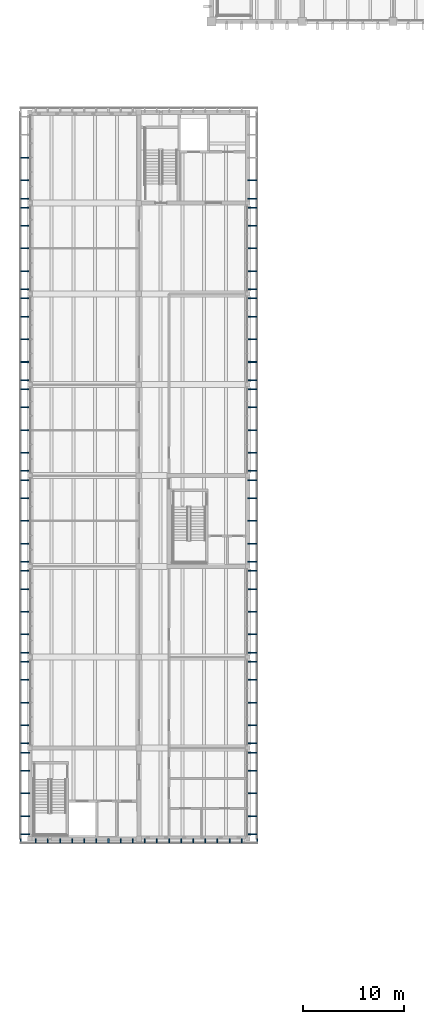
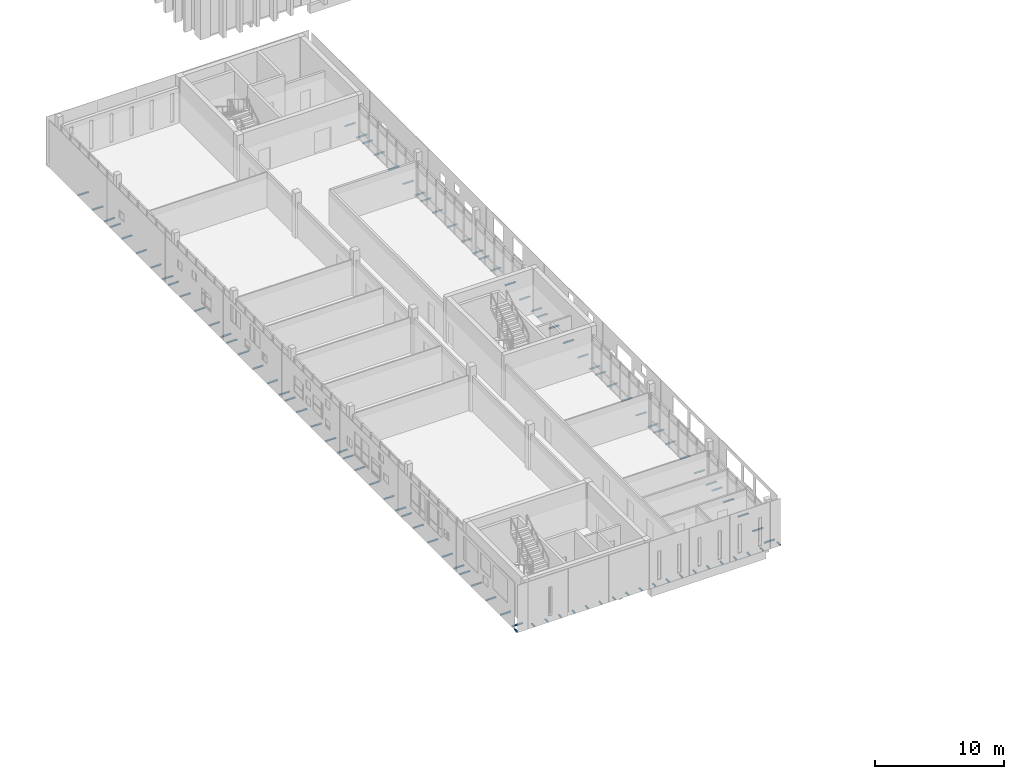
# One storey, part 37 of 50: 95 discrete accessories.
"""IFC4 building model written with IfcOpenShell, lengths in metres."""

import ifcopenshell
import ifcopenshell.guid

model = None  # the IFC model being written
_history = None  # IfcOwnerHistory: only IFC2X3 demands one
_inside = {}  # id of a spatial element -> (the spatial element, [elements in it])
_under = {}  # id of a project, library or spatial element -> (it, [spatial elements below it])
_declared = {}  # id of a project -> (the project, [libraries it declares])
_typed = {}  # id of a type object -> (the type object, [elements of that type])
_made_of = {}  # id of a material, layer set ... -> (it, [elements and type objects made of it])


def new_model(schema):
    """Start an empty IFC model of exactly this schema.

    Asked for "IFC4X3", IfcOpenShell would pick the latest addendum, in which some entities
    have other attributes; the version numbers below select the first issue.
    IFC2X3 requires an IfcOwnerHistory on every rooted entity: one is made here for all.
    """
    global model, _history
    if schema == "IFC4X3":
        model = ifcopenshell.file(schema_version=(4, 3, 0, 0))
    else:
        model = ifcopenshell.file(schema=schema)
    _inside.clear()
    _under.clear()
    _declared.clear()
    _typed.clear()
    _made_of.clear()
    _history = None
    if model.schema == "IFC2X3":
        org = make("IfcOrganization", Name="unknown")
        user = make(
            "IfcPersonAndOrganization",
            ThePerson=make("IfcPerson", FamilyName="unknown"),
            TheOrganization=org,
        )
        app = make(
            "IfcApplication",
            ApplicationDeveloper=org,
            Version="unknown",
            ApplicationFullName="unknown",
            ApplicationIdentifier="unknown",
        )
        _history = make(
            "IfcOwnerHistory",
            OwningUser=user,
            OwningApplication=app,
            ChangeAction="ADDED",
            CreationDate=0,
        )
    return model


def make(cls, **values):
    """One entity of the class cls with the attributes given. An attribute that is None is left unset."""
    return model.create_entity(
        cls, **{name: value for name, value in values.items() if value is not None}
    )


def rooted(cls, **values):
    """An entity with a GlobalId (a new one), such as an element, a storey or a relation."""
    return make(cls, GlobalId=ifcopenshell.guid.new(), OwnerHistory=_history, **values)


def si_unit(unit_type, name, prefix=None):
    """IfcSIUnit, for example si_unit("LENGTHUNIT", "METRE", prefix="MILLI")."""
    return make("IfcSIUnit", UnitType=unit_type, Prefix=prefix, Name=name)


def assignment(units):
    """IfcUnitAssignment: the units of a project."""
    return None if units is None else make("IfcUnitAssignment", Units=units)


def point(xyz):
    """IfcCartesianPoint."""
    return None if xyz is None else make("IfcCartesianPoint", Coordinates=xyz)


def direction(xyz):
    """IfcDirection."""
    return None if xyz is None else make("IfcDirection", DirectionRatios=xyz)


def frame(location, z_axis=None, x_axis=None):
    """IfcAxis2Placement3D, a coordinate frame: its origin and axes. An axis left out is left unset."""
    return make(
        "IfcAxis2Placement3D",
        Location=point(location),
        Axis=direction(z_axis),
        RefDirection=direction(x_axis),
    )


def origin():
    """The frame at (0, 0, 0) with its axes left unset."""
    return frame((0.0, 0.0, 0.0))


def place(relative_to, where):
    """IfcLocalPlacement: puts the frame where relative to a parent placement (None: the world)."""
    return make(
        "IfcLocalPlacement", PlacementRelTo=relative_to, RelativePlacement=where
    )


def context(
    kind, dimensions, precision=None, world=None, true_north=None, identifier=None
):
    """IfcGeometricRepresentationContext, for example the 3D "Model" context."""
    return make(
        "IfcGeometricRepresentationContext",
        ContextIdentifier=identifier,
        ContextType=kind,
        CoordinateSpaceDimension=dimensions,
        Precision=precision,
        WorldCoordinateSystem=world,
        TrueNorth=true_north,
    )


def subcontext(parent, identifier, kind, view, scale=None):
    """IfcGeometricRepresentationSubContext, for example "Body" below "Model"."""
    return make(
        "IfcGeometricRepresentationSubContext",
        ContextIdentifier=identifier,
        ContextType=kind,
        ParentContext=parent,
        TargetScale=scale,
        TargetView=view,
    )


def project(units=None, contexts=None):
    """IfcProject with its units and contexts."""
    return rooted(
        "IfcProject",
        Name="project",
        RepresentationContexts=contexts,
        UnitsInContext=assignment(units),
    )


def spatial(cls, under=None, at=None, **own):
    """A site, building, storey or space (cls), placed at a placement, below another one or the project."""
    s = rooted(cls, ObjectPlacement=at, **own)
    if under is not None:
        _under.setdefault(under.id(), (under, []))[1].append(s)
    return s


def polyline(points):
    """IfcPolyline through the points."""
    return make("IfcPolyline", Points=[point(p) for p in points])


def outline(outer, holes=None, kind="AREA"):
    """IfcArbitraryClosedProfileDef: a profile drawn as a closed curve; with holes, ...WithVoids."""
    if holes is None:
        return make("IfcArbitraryClosedProfileDef", ProfileType=kind, OuterCurve=outer)
    return make(
        "IfcArbitraryProfileDefWithVoids",
        ProfileType=kind,
        OuterCurve=outer,
        InnerCurves=holes,
    )


def extrude(swept, where, along, depth):
    """IfcExtrudedAreaSolid: the profile swept, set in the frame where, extruded along a direction by depth."""
    return make(
        "IfcExtrudedAreaSolid",
        SweptArea=swept,
        Position=where,
        ExtrudedDirection=direction(along),
        Depth=depth,
    )


def shape(context_of_items, identifier, shape_type, items):
    """IfcShapeRepresentation: the items that make up one representation, for example the "Body"."""
    return make(
        "IfcShapeRepresentation",
        ContextOfItems=context_of_items,
        RepresentationIdentifier=identifier,
        RepresentationType=shape_type,
        Items=items,
    )


def source(mapping_origin, context_of_items, identifier, shape_type, items):
    """IfcRepresentationMap: a shape defined once, which mapped items show again and again."""
    return make(
        "IfcRepresentationMap",
        MappingOrigin=mapping_origin,
        MappedRepresentation=shape(context_of_items, identifier, shape_type, items),
    )


def transform(
    local_origin,
    x_axis=None,
    y_axis=None,
    z_axis=None,
    scale=None,
    scale2=None,
    scale3=None,
    uniform=True,
):
    """IfcCartesianTransformationOperator3D, or its non-uniform kind. x_axis, y_axis, z_axis: its Axis1, 2, 3."""
    if uniform:
        return make(
            "IfcCartesianTransformationOperator3D",
            Axis1=direction(x_axis),
            Axis2=direction(y_axis),
            LocalOrigin=point(local_origin),
            Scale=scale,
            Axis3=direction(z_axis),
        )
    return make(
        "IfcCartesianTransformationOperator3DnonUniform",
        Axis1=direction(x_axis),
        Axis2=direction(y_axis),
        LocalOrigin=point(local_origin),
        Scale=scale,
        Axis3=direction(z_axis),
        Scale2=scale2,
        Scale3=scale3,
    )


def mapped(mapping_source, mapping_target):
    """IfcMappedItem: shows the shape of a source again, moved by a transform."""
    return make(
        "IfcMappedItem", MappingSource=mapping_source, MappingTarget=mapping_target
    )


def material(Name=None, Category=None):
    """IfcMaterial."""
    return make("IfcMaterial", Name=Name, Category=Category)


def made_of(thing, what):
    """Note that an element or type object is made of a material, layer set ...; save() writes the relation."""
    if what is not None:
        _made_of.setdefault(what.id(), (what, []))[1].append(thing)
    return thing


def type_object(cls, material=None, **own):
    """A type object (cls), such as IfcWallType, which elements share."""
    return made_of(rooted(cls, **own), material)


def element(
    cls,
    number,
    at=None,
    inside=None,
    cuts=None,
    type_object=None,
    material=None,
    context=None,
    identifier="Body",
    shape_type=None,
    held_by="IfcProductDefinitionShape",
    body=None,
    shapes=None,
    **own,
):
    """One element of the class cls, such as IfcWall. Its Tag is "e" and its number.

    at: its placement. inside: the storey or other place that contains it. cuts: it is an
    opening in that element (IfcRelVoidsElement). A single representation is given by context,
    identifier, shape_type and body (its items); several are given by shapes. held_by: the class
    of the entity that holds the representations. save() writes the other relations.
    """
    e = rooted(cls, Tag="e%d" % number, ObjectPlacement=at, **own)
    if body is not None:
        shapes = [shape(context, identifier, shape_type, body)]
    if shapes is not None:
        e.Representation = make(held_by, Representations=shapes)
    if inside is not None:
        _inside.setdefault(inside.id(), (inside, []))[1].append(e)
    if cuts is not None:
        rooted(
            "IfcRelVoidsElement", RelatingBuildingElement=cuts, RelatedOpeningElement=e
        )
    if type_object is not None:
        _typed.setdefault(type_object.id(), (type_object, []))[1].append(e)
    return made_of(e, material)


def aggregate(whole, parts):
    """IfcRelAggregates: a whole, such as a stair, and the parts it consists of."""
    return rooted("IfcRelAggregates", RelatingObject=whole, RelatedObjects=parts)


def save(model, path):
    """Write the relations noted so far, then the file.

    IfcRelAggregates (storeys below a building ...), IfcRelContainedInSpatialStructure (elements
    in a storey), IfcRelDefinesByType, IfcRelAssociatesMaterial and IfcRelDeclares: one each for
    every whole, place, type object, material and project.
    """
    for whole, parts in _under.values():
        aggregate(whole, parts)
    for where, things in _inside.values():
        rooted(
            "IfcRelContainedInSpatialStructure",
            RelatedElements=things,
            RelatingStructure=where,
        )
    for kind, things in _typed.values():
        rooted("IfcRelDefinesByType", RelatedObjects=things, RelatingType=kind)
    for what, things in _made_of.values():
        rooted("IfcRelAssociatesMaterial", RelatedObjects=things, RelatingMaterial=what)
    for by, libraries in _declared.values():
        rooted("IfcRelDeclares", RelatingContext=by, RelatedDefinitions=libraries)
    model.write(path)


model = new_model("IFC4")

# Units and contexts
model_context = context("Model", 3, precision=1e-05, world=origin(), true_north=direction((0.0, 1.0)))
body_context = subcontext(model_context, "Body", "Model", "MODEL_VIEW")
ifc_project = project(units=[si_unit("LENGTHUNIT", "METRE"), si_unit("AREAUNIT", "SQUARE_METRE"), si_unit("VOLUMEUNIT", "CUBIC_METRE"), si_unit("PLANEANGLEUNIT", "RADIAN"), si_unit("MASSUNIT", "GRAM", prefix="KILO")], contexts=[model_context])

# Site, building, storey
site_placement = place(None, origin())
site = spatial("IfcSite", under=ifc_project, at=site_placement, CompositionType="ELEMENT")
building_placement = place(site_placement, origin())
building = spatial("IfcBuilding", under=site, at=building_placement, Name="Merrow Basin Faculty of Sciences", CompositionType="ELEMENT")
storey_placement = place(building_placement, frame((0.0, 0.0, 18.0)))
storey = spatial("IfcBuildingStorey", under=building, at=storey_placement, Name="L04", CompositionType="ELEMENT", Elevation=18.0)

# Discrete accessories
ifc_material_1 = material(Name="Steel ASTM A572 Gr 50", Category="steel")
discrete_accessory_type_1 = type_object("IfcDiscreteAccessoryType", Name="Steel T bracket 100 x 80", PredefinedType="BRACKET", material=ifc_material_1)
shared_shape_1 = source(origin(), body_context, "Body", "SweptSolid", [
    extrude(outline(polyline([(0.0, 0.0), (0.10009765625, 0.0), (0.10009765625, 0.080078125), (0.0, 0.080078125), (0.0, 0.0)])), origin(), (0.0, 0.0, 1.0), 0.89990234375),
])
for number, where, z_axis, x_axis, name in (
    (1, (-0.89990234375, 61.39990234375, -0.2900390625), (1.0, 0.0, 0.0), (0.0, 1.0, 0.0), "Bracket WL04-01"),
    (2, (-0.89990234375, 63.199951171875, -0.2900390625), (1.0, 0.0, 0.0), (0.0, 1.0, 0.0), "Bracket WL04-01"),
    (3, (-0.89990234375, 65.449951171875, -0.2900390625), (1.0, 0.0, 0.0), (0.0, 1.0, 0.0), "Bracket WL04-01"),
    (4, (-0.89990234375, 67.699951171875, -0.2900390625), (1.0, 0.0, 0.0), (0.0, 1.0, 0.0), "Bracket WL04-01"),
    (5, (-0.89990234375, 69.5, -0.2900390625), (1.0, 0.0, 0.0), (0.0, 1.0, 0.0), "Bracket WL04-01"),
    (6, (22.5, 69.60009765625, -0.2900390625), (-1.0, 0.0, 0.0), (0.0, -1.0, 0.0), "Bracket EL04-01"),
    (7, (22.5, 67.800048828125, -0.2900390625), (-1.0, 0.0, 0.0), (0.0, -1.0, 0.0), "Bracket EL04-01"),
    (8, (22.5, 65.550048828125, -0.2900390625), (-1.0, 0.0, 0.0), (0.0, -1.0, 0.0), "Bracket EL04-01"),
    (9, (22.5, 63.300048828125, -0.2900390625), (-1.0, 0.0, 0.0), (0.0, -1.0, 0.0), "Bracket EL04-01"),
    (10, (22.5, 61.5, -0.2900390625), (-1.0, 0.0, 0.0), (0.0, -1.0, 0.0), "Bracket EL04-01"),
    (11, (-0.89990234375, 70.39990234375, -0.2900390625), (1.0, 0.0, 0.0), (0.0, 1.0, 0.0), "Bracket WL04-02"),
    (12, (-0.89990234375, 72.199951171875, -0.2900390625), (1.0, 0.0, 0.0), (0.0, 1.0, 0.0), "Bracket WL04-02"),
    (13, (-0.89990234375, 74.449951171875, -0.2900390625), (1.0, 0.0, 0.0), (0.0, 1.0, 0.0), "Bracket WL04-02"),
    (14, (-0.89990234375, 76.699951171875, -0.2900390625), (1.0, 0.0, 0.0), (0.0, 1.0, 0.0), "Bracket WL04-02"),
    (15, (-0.89990234375, 78.5, -0.2900390625), (1.0, 0.0, 0.0), (0.0, 1.0, 0.0), "Bracket WL04-02"),
    (16, (22.5, 78.60009765625, -0.2900390625), (-1.0, 0.0, 0.0), (0.0, -1.0, 0.0), "Bracket EL04-02"),
    (17, (22.5, 76.800048828125, -0.2900390625), (-1.0, 0.0, 0.0), (0.0, -1.0, 0.0), "Bracket EL04-02"),
    (18, (22.5, 74.550048828125, -0.2900390625), (-1.0, 0.0, 0.0), (0.0, -1.0, 0.0), "Bracket EL04-02"),
    (19, (22.5, 72.300048828125, -0.2900390625), (-1.0, 0.0, 0.0), (0.0, -1.0, 0.0), "Bracket EL04-02"),
    (20, (22.5, 70.5, -0.2900390625), (-1.0, 0.0, 0.0), (0.0, -1.0, 0.0), "Bracket EL04-02"),
    (21, (-0.89990234375, 79.39990234375, -0.2900390625), (1.0, 0.0, 0.0), (0.0, 1.0, 0.0), "Bracket WL04-03"),
    (22, (-0.89990234375, 81.199951171875, -0.2900390625), (1.0, 0.0, 0.0), (0.0, 1.0, 0.0), "Bracket WL04-03"),
    (23, (-0.89990234375, 83.449951171875, -0.2900390625), (1.0, 0.0, 0.0), (0.0, 1.0, 0.0), "Bracket WL04-03"),
    (24, (-0.89990234375, 85.699951171875, -0.2900390625), (1.0, 0.0, 0.0), (0.0, 1.0, 0.0), "Bracket WL04-03"),
    (25, (-0.89990234375, 87.5, -0.2900390625), (1.0, 0.0, 0.0), (0.0, 1.0, 0.0), "Bracket WL04-03"),
    (26, (22.5, 87.60009765625, -0.2900390625), (-1.0, 0.0, 0.0), (0.0, -1.0, 0.0), "Bracket EL04-03"),
    (27, (22.5, 85.800048828125, -0.2900390625), (-1.0, 0.0, 0.0), (0.0, -1.0, 0.0), "Bracket EL04-03"),
    (28, (22.5, 83.550048828125, -0.2900390625), (-1.0, 0.0, 0.0), (0.0, -1.0, 0.0), "Bracket EL04-03"),
    (29, (22.5, 81.300048828125, -0.2900390625), (-1.0, 0.0, 0.0), (0.0, -1.0, 0.0), "Bracket EL04-03"),
    (30, (22.5, 79.5, -0.2900390625), (-1.0, 0.0, 0.0), (0.0, -1.0, 0.0), "Bracket EL04-03"),
    (31, (-0.89990234375, 88.39990234375, -0.2900390625), (1.0, 0.0, 0.0), (0.0, 1.0, 0.0), "Bracket WL04-04"),
    (32, (-0.89990234375, 90.199951171875, -0.2900390625), (1.0, 0.0, 0.0), (0.0, 1.0, 0.0), "Bracket WL04-04"),
    (33, (-0.89990234375, 92.449951171875, -0.2900390625), (1.0, 0.0, 0.0), (0.0, 1.0, 0.0), "Bracket WL04-04"),
    (34, (-0.89990234375, 94.699951171875, -0.2900390625), (1.0, 0.0, 0.0), (0.0, 1.0, 0.0), "Bracket WL04-04"),
    (35, (-0.89990234375, 96.5, -0.2900390625), (1.0, 0.0, 0.0), (0.0, 1.0, 0.0), "Bracket WL04-04"),
    (36, (22.5, 96.60009765625, -0.2900390625), (-1.0, 0.0, 0.0), (0.0, -1.0, 0.0), "Bracket EL04-04"),
    (37, (22.5, 94.800048828125, -0.2900390625), (-1.0, 0.0, 0.0), (0.0, -1.0, 0.0), "Bracket EL04-04"),
    (38, (22.5, 92.550048828125, -0.2900390625), (-1.0, 0.0, 0.0), (0.0, -1.0, 0.0), "Bracket EL04-04"),
    (39, (22.5, 90.300048828125, -0.2900390625), (-1.0, 0.0, 0.0), (0.0, -1.0, 0.0), "Bracket EL04-04"),
    (40, (22.5, 88.5, -0.2900390625), (-1.0, 0.0, 0.0), (0.0, -1.0, 0.0), "Bracket EL04-04"),
    (41, (-0.89990234375, 97.39990234375, -0.2900390625), (1.0, 0.0, 0.0), (0.0, 1.0, 0.0), "Bracket WL04-05"),
    (42, (-0.89990234375, 99.199951171875, -0.2900390625), (1.0, 0.0, 0.0), (0.0, 1.0, 0.0), "Bracket WL04-05"),
    (43, (-0.89990234375, 101.449951171875, -0.2900390625), (1.0, 0.0, 0.0), (0.0, 1.0, 0.0), "Bracket WL04-05"),
    (44, (-0.89990234375, 103.699951171875, -0.2900390625), (1.0, 0.0, 0.0), (0.0, 1.0, 0.0), "Bracket WL04-05"),
    (45, (-0.89990234375, 105.5, -0.2900390625), (1.0, 0.0, 0.0), (0.0, 1.0, 0.0), "Bracket WL04-05"),
    (46, (22.5, 105.60009765625, -0.2900390625), (-1.0, 0.0, 0.0), (0.0, -1.0, 0.0), "Bracket EL04-05"),
    (47, (22.5, 103.800048828125, -0.2900390625), (-1.0, 0.0, 0.0), (0.0, -1.0, 0.0), "Bracket EL04-05"),
    (48, (22.5, 101.550048828125, -0.2900390625), (-1.0, 0.0, 0.0), (0.0, -1.0, 0.0), "Bracket EL04-05"),
    (49, (22.5, 99.300048828125, -0.2900390625), (-1.0, 0.0, 0.0), (0.0, -1.0, 0.0), "Bracket EL04-05"),
    (50, (22.5, 97.5, -0.2900390625), (-1.0, 0.0, 0.0), (0.0, -1.0, 0.0), "Bracket EL04-05"),
    (51, (-0.89990234375, 106.39990234375, -0.2900390625), (1.0, 0.0, 0.0), (0.0, 1.0, 0.0), "Bracket WL04-06"),
    (52, (-0.89990234375, 108.199951171875, -0.2900390625), (1.0, 0.0, 0.0), (0.0, 1.0, 0.0), "Bracket WL04-06"),
    (53, (-0.89990234375, 110.449951171875, -0.2900390625), (1.0, 0.0, 0.0), (0.0, 1.0, 0.0), "Bracket WL04-06"),
    (54, (-0.89990234375, 112.699951171875, -0.2900390625), (1.0, 0.0, 0.0), (0.0, 1.0, 0.0), "Bracket WL04-06"),
    (55, (-0.89990234375, 114.5, -0.2900390625), (1.0, 0.0, 0.0), (0.0, 1.0, 0.0), "Bracket WL04-06"),
    (56, (22.5, 114.60009765625, -0.2900390625), (-1.0, 0.0, 0.0), (0.0, -1.0, 0.0), "Bracket EL04-06"),
    (57, (22.5, 112.800048828125, -0.2900390625), (-1.0, 0.0, 0.0), (0.0, -1.0, 0.0), "Bracket EL04-06"),
    (58, (22.5, 110.550048828125, -0.2900390625), (-1.0, 0.0, 0.0), (0.0, -1.0, 0.0), "Bracket EL04-06"),
    (59, (22.5, 108.300048828125, -0.2900390625), (-1.0, 0.0, 0.0), (0.0, -1.0, 0.0), "Bracket EL04-06"),
    (60, (22.5, 106.5, -0.2900390625), (-1.0, 0.0, 0.0), (0.0, -1.0, 0.0), "Bracket EL04-06"),
    (61, (-0.89990234375, 115.39990234375, -0.2900390625), (1.0, 0.0, 0.0), (0.0, 1.0, 0.0), "Bracket WL04-07"),
    (62, (-0.89990234375, 117.199951171875, -0.2900390625), (1.0, 0.0, 0.0), (0.0, 1.0, 0.0), "Bracket WL04-07"),
    (63, (-0.89990234375, 119.449951171875, -0.2900390625), (1.0, 0.0, 0.0), (0.0, 1.0, 0.0), "Bracket WL04-07"),
    (64, (-0.89990234375, 121.699951171875, -0.2900390625), (1.0, 0.0, 0.0), (0.0, 1.0, 0.0), "Bracket WL04-07"),
    (65, (-0.89990234375, 123.5, -0.2900390625), (1.0, 0.0, 0.0), (0.0, 1.0, 0.0), "Bracket WL04-07"),
    (66, (22.5, 123.60009765625, -0.2900390625), (-1.0, 0.0, 0.0), (0.0, -1.0, 0.0), "Bracket EL04-07"),
    (67, (22.5, 121.800048828125, -0.2900390625), (-1.0, 0.0, 0.0), (0.0, -1.0, 0.0), "Bracket EL04-07"),
    (68, (22.5, 119.550048828125, -0.2900390625), (-1.0, 0.0, 0.0), (0.0, -1.0, 0.0), "Bracket EL04-07"),
    (69, (22.5, 117.300048828125, -0.2900390625), (-1.0, 0.0, 0.0), (0.0, -1.0, 0.0), "Bracket EL04-07"),
    (70, (22.5, 115.5, -0.2900390625), (-1.0, 0.0, 0.0), (0.0, -1.0, 0.0), "Bracket EL04-07"),
    (71, (-0.89990234375, 124.39990234375, -0.2900390625), (1.0, 0.0, 0.0), (0.0, 1.0, 0.0), "Bracket WL04-08"),
    (72, (-0.89990234375, 126.199951171875, -0.2900390625), (1.0, 0.0, 0.0), (0.0, 1.0, 0.0), "Bracket WL04-08"),
    (73, (-0.89990234375, 128.449951171875, -0.2900390625), (1.0, 0.0, 0.0), (0.0, 1.0, 0.0), "Bracket WL04-08"),
    (74, (22.5, 126.300048828125, -0.2900390625), (-1.0, 0.0, 0.0), (0.0, -1.0, 0.0), "Bracket EL04-08"),
    (75, (22.5, 124.5, -0.2900390625), (-1.0, 0.0, 0.0), (0.0, -1.0, 0.0), "Bracket EL04-08"),
):
    element("IfcDiscreteAccessory", number, at=place(storey_placement, frame(where, z_axis=z_axis, x_axis=x_axis)), inside=storey, type_object=discrete_accessory_type_1, Name=name, PredefinedType="BRACKET", context=body_context, shape_type="MappedRepresentation", body=[
        mapped(shared_shape_1, transform((0.0, 0.0, 0.0), scale=1.0)),
    ])
ifc_material_2 = material(Name="Steel ASTM A572 Gr 50", Category="steel")
discrete_accessory_type_2 = type_object("IfcDiscreteAccessoryType", Name="Steel T bracket 100 x 80 corner", PredefinedType="BRACKET", material=ifc_material_2)
shared_shape_2 = source(origin(), body_context, "Body", "SweptSolid", [
    extrude(outline(polyline([(0.0, 0.0), (0.10009765625, 0.0), (0.10009765625, 0.080078125), (0.0, 0.080078125), (0.0, 0.0)])), origin(), (0.0, 0.0, 1.0), 0.419921875),
])
for number, where, z_axis, x_axis, name in (
    (76, (-0.8701171875, 60.60009765625, -0.2900390625), (0.0, 1.0, 0.0), (-1.0, 0.0, 0.0), "End corner bracket SL04-01"),
    (77, (22.570068359375, 60.60009765625, -0.2900390625), (0.0, 1.0, 0.0), (-1.0, 0.0, 0.0), "End corner bracket SL04-08"),
):
    element("IfcDiscreteAccessory", number, at=place(storey_placement, frame(where, z_axis=z_axis, x_axis=x_axis)), inside=storey, type_object=discrete_accessory_type_2, Name=name, PredefinedType="BRACKET", context=body_context, shape_type="MappedRepresentation", body=[
        mapped(shared_shape_2, transform((0.0, 0.0, 0.0), scale=1.0)),
    ])
ifc_material_3 = material(Name="Steel ASTM A572 Gr 50", Category="steel")
discrete_accessory_type_3 = type_object("IfcDiscreteAccessoryType", Name="Steel T bracket 100 x 80 short", PredefinedType="BRACKET", material=ifc_material_3)
shared_shape_3 = source(origin(), body_context, "Body", "SweptSolid", [
    extrude(outline(polyline([(0.0, 0.0), (0.10009765625, 0.0), (0.10009765625, 0.080078125), (0.0, 0.080078125), (0.0, 0.0)])), origin(), (0.0, 0.0, 1.0), 0.39990234375),
])
for number, where, z_axis, x_axis, name in (
    (78, (0.64990234375, 60.60009765625, -0.2900390625), (0.0, 1.0, 0.0), (-1.0, 0.0, 0.0), "End bracket SL04-02-1"),
    (79, (1.85009765625, 60.60009765625, -0.2900390625), (0.0, 1.0, 0.0), (-1.0, 0.0, 0.0), "End bracket SL04-02-2"),
    (80, (3.050048828125, 60.60009765625, -0.2900390625), (0.0, 1.0, 0.0), (-1.0, 0.0, 0.0), "End bracket SL04-02-3"),
    (81, (4.25, 60.60009765625, -0.2900390625), (0.0, 1.0, 0.0), (-1.0, 0.0, 0.0), "End bracket SL04-03-1"),
    (82, (5.449951171875, 60.60009765625, -0.2900390625), (0.0, 1.0, 0.0), (-1.0, 0.0, 0.0), "End bracket SL04-03-2"),
    (83, (6.64990234375, 60.60009765625, -0.2900390625), (0.0, 1.0, 0.0), (-1.0, 0.0, 0.0), "End bracket SL04-03-3"),
    (84, (7.85009765625, 60.60009765625, -0.2900390625), (0.0, 1.0, 0.0), (-1.0, 0.0, 0.0), "End bracket SL04-04-1"),
    (85, (9.050048828125, 60.60009765625, -0.2900390625), (0.0, 1.0, 0.0), (-1.0, 0.0, 0.0), "End bracket SL04-04-2"),
    (86, (10.25, 60.60009765625, -0.2900390625), (0.0, 1.0, 0.0), (-1.0, 0.0, 0.0), "End bracket SL04-04-3"),
    (87, (11.449951171875, 60.60009765625, -0.2900390625), (0.0, 1.0, 0.0), (-1.0, 0.0, 0.0), "End bracket SL04-05-1"),
    (88, (12.64990234375, 60.60009765625, -0.2900390625), (0.0, 1.0, 0.0), (-1.0, 0.0, 0.0), "End bracket SL04-05-2"),
    (89, (13.85009765625, 60.60009765625, -0.2900390625), (0.0, 1.0, 0.0), (-1.0, 0.0, 0.0), "End bracket SL04-05-3"),
    (90, (15.050048828125, 60.60009765625, -0.2900390625), (0.0, 1.0, 0.0), (-1.0, 0.0, 0.0), "End bracket SL04-06-1"),
    (91, (16.25, 60.60009765625, -0.2900390625), (0.0, 1.0, 0.0), (-1.0, 0.0, 0.0), "End bracket SL04-06-2"),
    (92, (17.449951171875, 60.60009765625, -0.2900390625), (0.0, 1.0, 0.0), (-1.0, 0.0, 0.0), "End bracket SL04-06-3"),
    (93, (18.64990234375, 60.60009765625, -0.2900390625), (0.0, 1.0, 0.0), (-1.0, 0.0, 0.0), "End bracket SL04-07-1"),
    (94, (19.85009765625, 60.60009765625, -0.2900390625), (0.0, 1.0, 0.0), (-1.0, 0.0, 0.0), "End bracket SL04-07-2"),
    (95, (21.050048828125, 60.60009765625, -0.2900390625), (0.0, 1.0, 0.0), (-1.0, 0.0, 0.0), "End bracket SL04-07-3"),
):
    element("IfcDiscreteAccessory", number, at=place(storey_placement, frame(where, z_axis=z_axis, x_axis=x_axis)), inside=storey, type_object=discrete_accessory_type_3, Name=name, PredefinedType="BRACKET", context=body_context, shape_type="MappedRepresentation", body=[
        mapped(shared_shape_3, transform((0.0, 0.0, 0.0), scale=1.0)),
    ])

save(model, "model.ifc")
